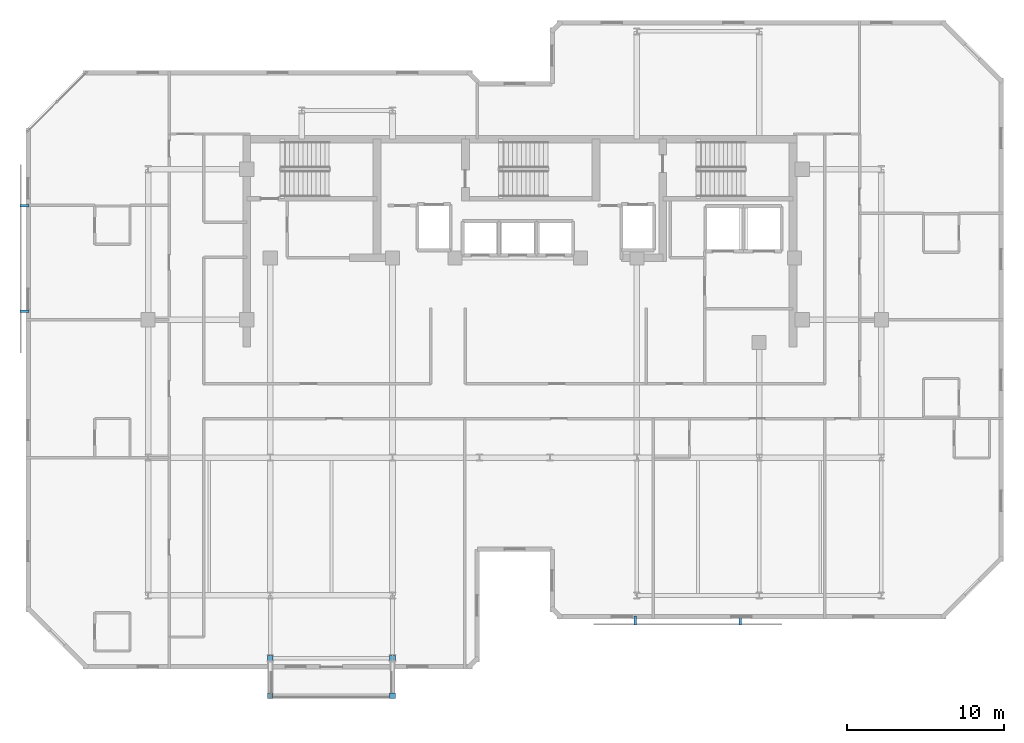
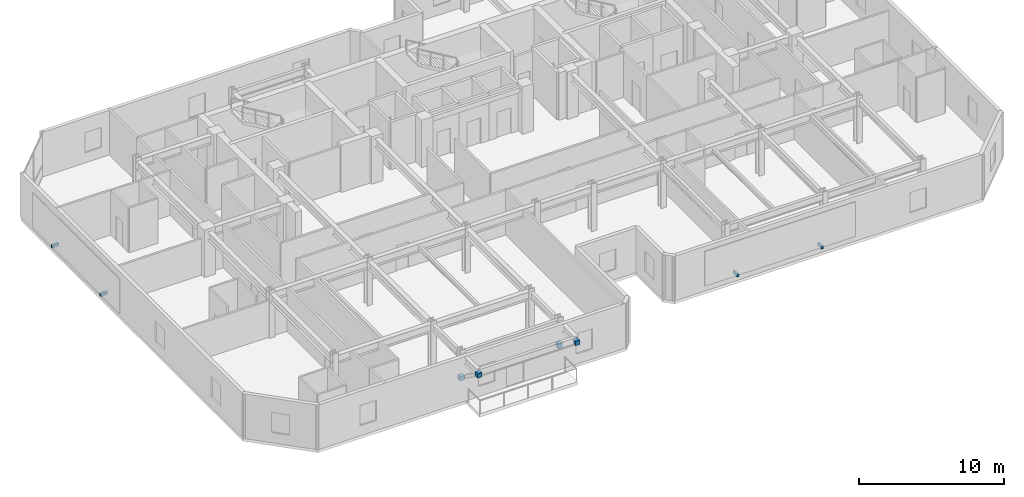
# One storey, part 8 of 10: 8 discrete accessories.
"""IFC4 building model written with IfcOpenShell, lengths in metres."""

from ifc_helpers import new_model, si_unit, direction, frame, origin, origin_2d, place, context, subcontext, project, spatial, rectangle, extrude, material, type_object, element, save


model = new_model("IFC4")

# Units and contexts
model_context = context("Model", 3, precision=1e-05, world=origin(), true_north=direction((0.0, 1.0)))
body_context = subcontext(model_context, "Body", "Model", "MODEL_VIEW")
ifc_project = project(units=[si_unit("LENGTHUNIT", "METRE"), si_unit("AREAUNIT", "SQUARE_METRE"), si_unit("VOLUMEUNIT", "CUBIC_METRE"), si_unit("PLANEANGLEUNIT", "RADIAN"), si_unit("MASSUNIT", "GRAM", prefix="KILO")], contexts=[model_context])

# Site, building, storey
site_placement = place(None, origin())
site = spatial("IfcSite", under=ifc_project, at=site_placement, CompositionType="ELEMENT")
building_placement = place(site_placement, origin())
building = spatial("IfcBuilding", under=site, at=building_placement, Name="Kestravale Grand Hotel", CompositionType="ELEMENT")
storey_placement = place(building_placement, frame((0.0, 0.0, 277.39990234375)))
storey = spatial("IfcBuildingStorey", under=building, at=storey_placement, Name="L69", CompositionType="ELEMENT", Elevation=277.39990234375)

# Discrete accessories
ifc_material = material(Name="Steel ASTM A572 Grade 50 hot-dip galvanised bracket", Category="steel")
discrete_accessory_type = type_object("IfcDiscreteAccessoryType", Name="ACC-BRK-STL", PredefinedType="BRACKET", material=ifc_material)
for number, where, z_axis, x_axis, name in (
    (1, (23.39990234375, 7.199951171875, 1.39404296875), (0.0, 0.0, 1.0), (1.0, 0.0, 0.0), "L70 terrace strut column bracket 1"),
    (2, (23.39990234375, 4.800048828125, 3.09423828125), (0.0, 0.0, 1.0), (1.0, 0.0, 0.0), "L70 terrace strut beam bracket 1"),
    (3, (31.199951171875, 7.199951171875, 1.39404296875), (0.0, 0.0, 1.0), (1.0, 0.0, 0.0), "L70 terrace strut column bracket 2"),
    (4, (31.199951171875, 4.800048828125, 3.09423828125), (0.0, 0.0, 1.0), (1.0, 0.0, 0.0), "L70 terrace strut beam bracket 2"),
):
    element("IfcDiscreteAccessory", number, at=place(storey_placement, frame(where, z_axis=z_axis, x_axis=x_axis)), inside=storey, type_object=discrete_accessory_type, Name=name, PredefinedType="BRACKET", context=body_context, shape_type="SweptSolid", body=[
        extrude(rectangle(XDim=0.360107421875, YDim=0.360107421875, at=origin_2d()), origin(), (0.0, 0.0, 1.0), 0.360107421875),
    ])
for number, where, z_axis, x_axis, name in (
    (5, (46.68994140625, 9.60498046875, 0.56005859375), (0.0, 0.0, 1.0), (1.0, 0.0, 0.0), "L69 solar screen standoff bracket 1"),
    (6, (53.409912109375, 9.60498046875, 0.56005859375), (0.0, 0.0, 1.0), (1.0, 0.0, 0.0), "L69 solar screen standoff bracket 2"),
    (7, (7.705078125, 36.06005859375, 0.56005859375), (0.0, 0.0, 1.0), (0.0, -1.0, 0.0), "L69 solar screen standoff bracket 1"),
    (8, (7.705078125, 29.340087890625, 0.56005859375), (0.0, 0.0, 1.0), (0.0, -1.0, 0.0), "L69 solar screen standoff bracket 2"),
):
    element("IfcDiscreteAccessory", number, at=place(storey_placement, frame(where, z_axis=z_axis, x_axis=x_axis)), inside=storey, type_object=discrete_accessory_type, Name=name, PredefinedType="BRACKET", context=body_context, shape_type="SweptSolid", body=[
        extrude(rectangle(XDim=0.159912109375, YDim=0.56005859375, at=origin_2d()), origin(), (0.0, 0.0, 1.0), 0.239990234375),
    ])

save(model, "model.ifc")
